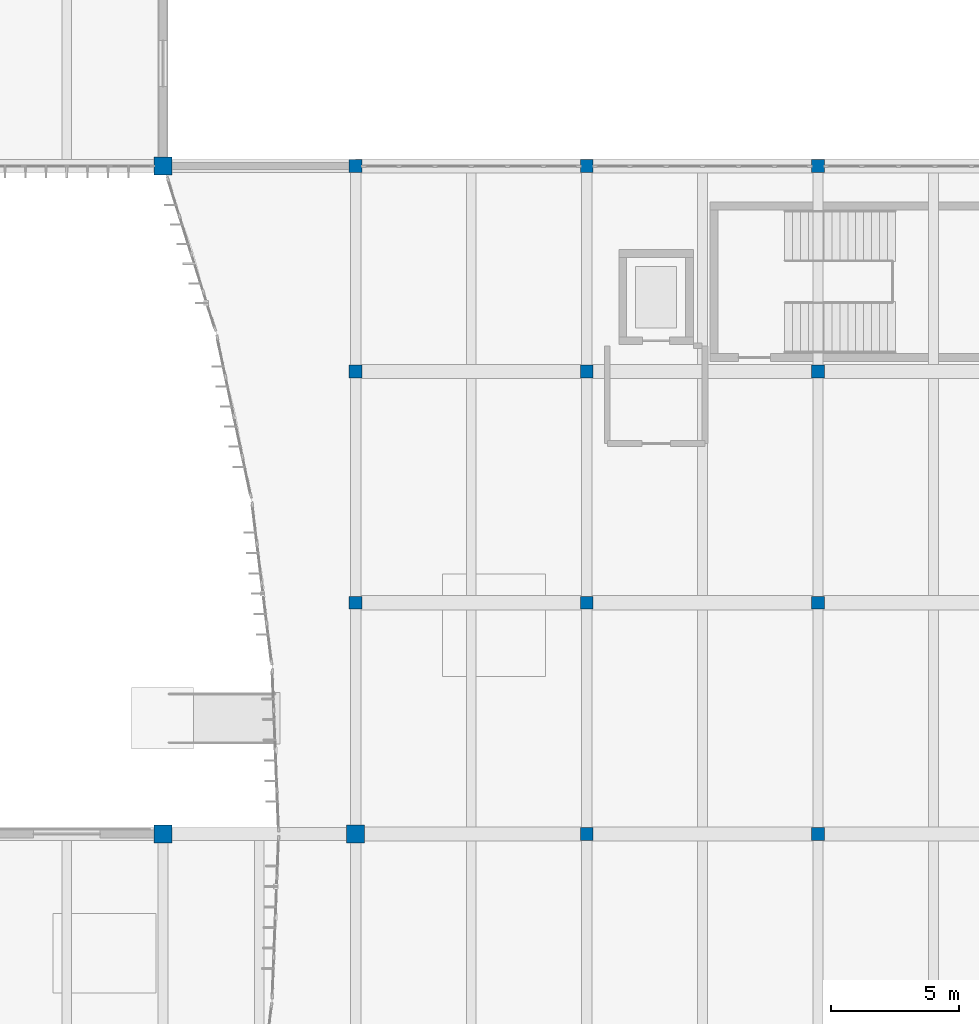
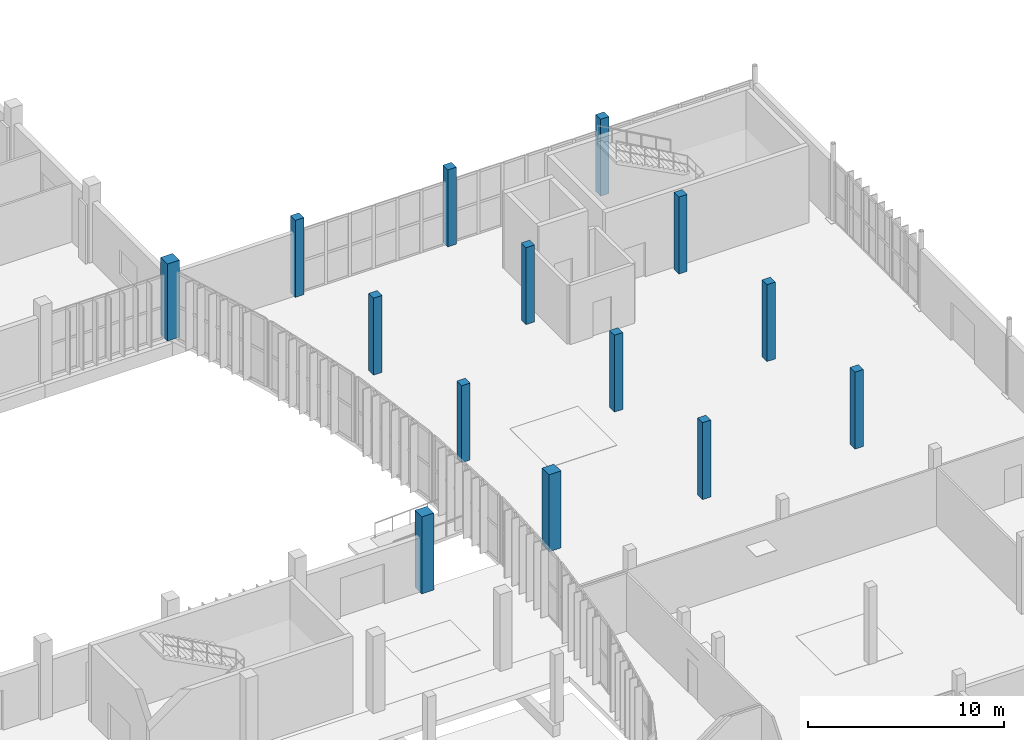
# One storey, part 4 of 72: 14 columns.
"""IFC4 building model written with IfcOpenShell, lengths in metres."""

from ifc_helpers import new_model, si_unit, direction, frame, origin, origin_2d, place, context, subcontext, project, spatial, rectangle, extrude, material, material_profile, profile_set, type_object, element, save


model = new_model("IFC4")

# Units and contexts
model_context = context("Model", 3, precision=1e-05, world=origin(), true_north=direction((0.0, 1.0)))
body_context = subcontext(model_context, "Body", "Model", "MODEL_VIEW")
ifc_project = project(units=[si_unit("LENGTHUNIT", "METRE"), si_unit("AREAUNIT", "SQUARE_METRE"), si_unit("VOLUMEUNIT", "CUBIC_METRE"), si_unit("PLANEANGLEUNIT", "RADIAN"), si_unit("MASSUNIT", "GRAM", prefix="KILO")], contexts=[model_context])

# Site, building, storey
site_placement = place(None, origin())
site = spatial("IfcSite", under=ifc_project, at=site_placement, CompositionType="ELEMENT")
building_placement = place(site_placement, origin())
building = spatial("IfcBuilding", under=site, at=building_placement, Name="Vourika Railside Aquatics Centre", CompositionType="ELEMENT")
storey_placement = place(building_placement, origin())
storey = spatial("IfcBuildingStorey", under=building, at=storey_placement, Name="L00", CompositionType="ELEMENT", Elevation=0.0)

# Columns
ifc_material_1 = material(Name="Concrete C35/45", Category="concrete")
ifc_material_profile_1 = material_profile(ifc_material_1, rectangle(XDim=0.5, YDim=0.5, at=origin_2d()), Name="RC 500x500")
ifc_profile_set_1 = profile_set([ifc_material_profile_1], Name="Concrete C35/45")
column_type_1 = type_object("IfcColumnType", Name="COL-RC500", PredefinedType="COLUMN", material=ifc_profile_set_1)
for number, where, z_axis, x_axis, name in (
    (1, (141.0, 75.0, 0.0), (0.0, 0.0, 1.0), (1.0, 0.0, 0.0), "Column col:L00:1410_750"),
    (2, (141.0, 84.0, 0.0), (0.0, 0.0, 1.0), (1.0, 0.0, 0.0), "Column col:L00:1410_840"),
    (3, (141.0, 92.0, 0.0), (0.0, 0.0, 1.0), (1.0, 0.0, 0.0), "Column col:L00:1410_920"),
    (4, (150.0, 66.0, 0.0), (0.0, 0.0, 1.0), (1.0, 0.0, 0.0), "Column col:L00:1500_660"),
    (5, (150.0, 75.0, 0.0), (0.0, 0.0, 1.0), (1.0, 0.0, 0.0), "Column col:L00:1500_750"),
    (6, (150.0, 84.0, 0.0), (0.0, 0.0, 1.0), (1.0, 0.0, 0.0), "Column col:L00:1500_840"),
    (7, (150.0, 92.0, 0.0), (0.0, 0.0, 1.0), (1.0, 0.0, 0.0), "Column col:L00:1500_920"),
    (8, (159.0, 66.0, 0.0), (0.0, 0.0, 1.0), (1.0, 0.0, 0.0), "Column col:L00:1590_660"),
    (9, (159.0, 75.0, 0.0), (0.0, 0.0, 1.0), (1.0, 0.0, 0.0), "Column col:L00:1590_750"),
    (10, (159.0, 84.0, 0.0), (0.0, 0.0, 1.0), (1.0, 0.0, 0.0), "Column col:L00:1590_840"),
    (11, (159.0, 92.0, 0.0), (0.0, 0.0, 1.0), (1.0, 0.0, 0.0), "Column col:L00:1590_920"),
):
    element("IfcColumn", number, at=place(storey_placement, frame(where, z_axis=z_axis, x_axis=x_axis)), inside=storey, type_object=column_type_1, Name=name, PredefinedType="COLUMN", context=body_context, shape_type="SweptSolid", body=[
        extrude(rectangle(XDim=0.5, YDim=0.5, at=origin_2d()), origin(), (0.0, 0.0, 1.0), 4.800048828125),
    ])
ifc_material_2 = material(Name="Concrete C40/50", Category="concrete")
ifc_material_profile_2 = material_profile(ifc_material_2, rectangle(XDim=0.699951171875, YDim=0.699951171875, at=origin_2d()), Name="RC 700x700")
ifc_profile_set_2 = profile_set([ifc_material_profile_2], Name="Concrete C40/50")
column_type_2 = type_object("IfcColumnType", Name="COL-RC700", PredefinedType="COLUMN", material=ifc_profile_set_2)
for number, where, z_axis, x_axis, name in (
    (12, (133.5, 66.0, 0.0), (0.0, 0.0, 1.0), (1.0, 0.0, 0.0), "Column col:L00:1335_660"),
    (13, (133.5, 92.0, 0.0), (0.0, 0.0, 1.0), (1.0, 0.0, 0.0), "Column col:L00:1335_920"),
    (14, (141.0, 66.0, 0.0), (0.0, 0.0, 1.0), (1.0, 0.0, 0.0), "Column col:L00:1410_660"),
):
    element("IfcColumn", number, at=place(storey_placement, frame(where, z_axis=z_axis, x_axis=x_axis)), inside=storey, type_object=column_type_2, Name=name, PredefinedType="COLUMN", context=body_context, shape_type="SweptSolid", body=[
        extrude(rectangle(XDim=0.699951171875, YDim=0.699951171875, at=origin_2d()), origin(), (0.0, 0.0, 1.0), 4.800048828125),
    ])

save(model, "model.ifc")
